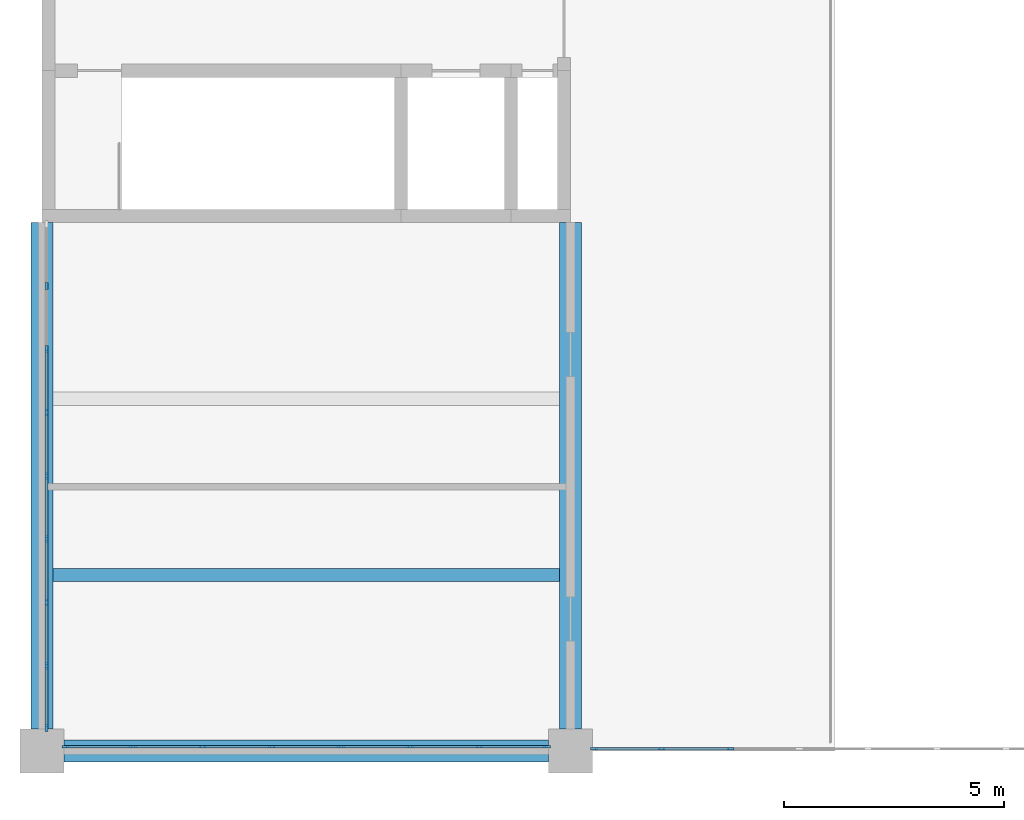
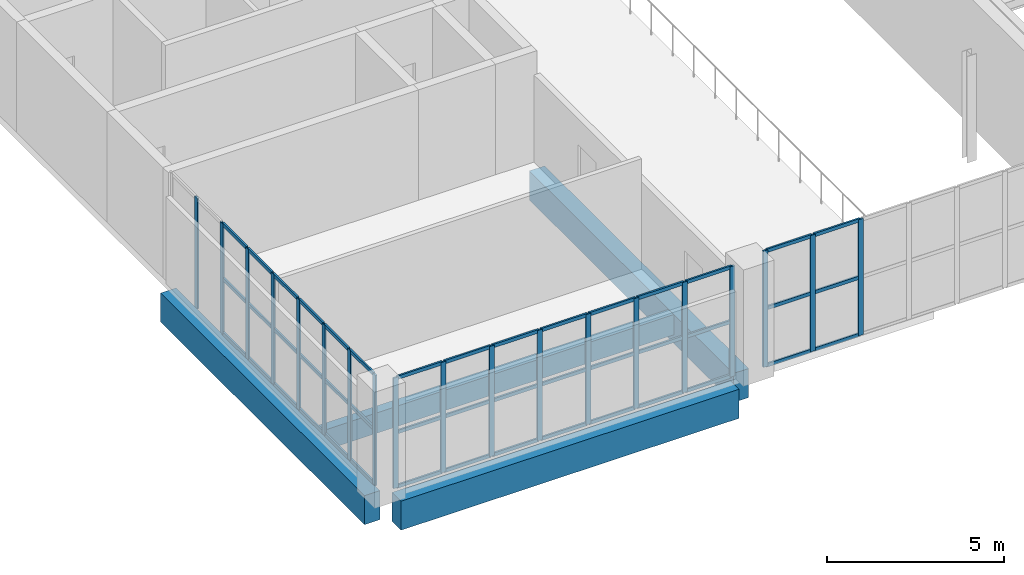
# One storey, part 8 of 156: 64 members, 4 beams, 3 elements without a shape of their own.
"""IFC4 building model written with IfcOpenShell, lengths in metres."""

from ifc_helpers import new_model, si_unit, direction, frame, origin, origin_2d, place, context, subcontext, project, spatial, rectangle, extrude, material, layer, layer_set, material_profile, profile_set, type_object, element, aggregate, save


model = new_model("IFC4")

# Units and contexts
model_context = context("Model", 3, precision=1e-05, world=origin(), true_north=direction((0.0, 1.0)))
body_context = subcontext(model_context, "Body", "Model", "MODEL_VIEW")
ifc_project = project(units=[si_unit("LENGTHUNIT", "METRE"), si_unit("AREAUNIT", "SQUARE_METRE"), si_unit("VOLUMEUNIT", "CUBIC_METRE"), si_unit("PLANEANGLEUNIT", "RADIAN"), si_unit("MASSUNIT", "GRAM", prefix="KILO")], contexts=[model_context])

# Site, building, storey
site_placement = place(None, origin())
site = spatial("IfcSite", under=ifc_project, at=site_placement, CompositionType="ELEMENT")
building_placement = place(site_placement, origin())
building = spatial("IfcBuilding", under=site, at=building_placement, Name="Lilac Gate Convention Centre", CompositionType="ELEMENT")
storey_placement = place(building_placement, frame((0.0, 0.0, 17.0)))
storey = spatial("IfcBuildingStorey", under=building, at=storey_placement, Name="L03", CompositionType="ELEMENT", Elevation=17.0)

# Curtain wall, members
ifc_material_1 = material(Name="Aluminium framed double glazing", Category="aluminium")
ifc_layer = layer(ifc_material_1, 0.199951171875)
ifc_layer_set = layer_set([ifc_layer], Name="Aluminium framed double glazing")
curtain_wall_type = type_object("IfcCurtainWallType", Name="Unitised curtain wall 1500", PredefinedType="NOTDEFINED", material=ifc_layer_set)
curtain_wall_1_placement = place(storey_placement, origin())
curtain_wall_1 = element("IfcCurtainWall", 1, at=curtain_wall_1_placement, inside=storey, type_object=curtain_wall_type, Name="Curtain wall PW L03 12", PredefinedType="NOTDEFINED")
ifc_material_2 = material(Name="Aluminium alloy 6063", Category="aluminium")
ifc_material_profile_1 = material_profile(ifc_material_2, rectangle(XDim=0.06005859375, YDim=0.159912109375, at=origin_2d()), Name="Curtain wall mullion 60 x 160")
ifc_profile_set_1 = profile_set([ifc_material_profile_1], Name="Aluminium alloy 6063")
member_type_1 = type_object("IfcMemberType", Name="Curtain wall mullion 60 x 160", PredefinedType="MULLION", material=ifc_profile_set_1)
member_1_placement = place(storey_placement, frame((6.10009765625, 40.5625, 0.0), z_axis=(0.0, 0.0, 1.0), x_axis=(1.0, 0.0, 0.0)))
member_1 = element("IfcMember", 2, at=member_1_placement, type_object=member_type_1, Name="CW mullion 2", PredefinedType="MULLION", context=body_context, shape_type="SweptSolid", body=[
    extrude(rectangle(XDim=0.06005859375, YDim=0.159912109375, at=origin_2d()), origin(), (0.0, 0.0, 1.0), 3.800048828125),
])
member_2_placement = place(storey_placement, frame((6.10009765625, 39.125, 0.0), z_axis=(0.0, 0.0, 1.0), x_axis=(1.0, 0.0, 0.0)))
member_2 = element("IfcMember", 3, at=member_2_placement, type_object=member_type_1, Name="CW mullion 3", PredefinedType="MULLION", context=body_context, shape_type="SweptSolid", body=[
    extrude(rectangle(XDim=0.06005859375, YDim=0.159912109375, at=origin_2d()), origin(), (0.0, 0.0, 1.0), 3.800048828125),
])
member_3_placement = place(storey_placement, frame((6.10009765625, 37.6875, 0.0), z_axis=(0.0, 0.0, 1.0), x_axis=(1.0, 0.0, 0.0)))
member_3 = element("IfcMember", 4, at=member_3_placement, type_object=member_type_1, Name="CW mullion 4", PredefinedType="MULLION", context=body_context, shape_type="SweptSolid", body=[
    extrude(rectangle(XDim=0.06005859375, YDim=0.159912109375, at=origin_2d()), origin(), (0.0, 0.0, 1.0), 3.800048828125),
])
member_4_placement = place(storey_placement, frame((6.10009765625, 36.25, 0.0), z_axis=(0.0, 0.0, 1.0), x_axis=(1.0, 0.0, 0.0)))
member_4 = element("IfcMember", 5, at=member_4_placement, type_object=member_type_1, Name="CW mullion 5", PredefinedType="MULLION", context=body_context, shape_type="SweptSolid", body=[
    extrude(rectangle(XDim=0.06005859375, YDim=0.159912109375, at=origin_2d()), origin(), (0.0, 0.0, 1.0), 3.800048828125),
])
member_5_placement = place(storey_placement, frame((6.10009765625, 34.8125, 0.0), z_axis=(0.0, 0.0, 1.0), x_axis=(1.0, 0.0, 0.0)))
member_5 = element("IfcMember", 6, at=member_5_placement, type_object=member_type_1, Name="CW mullion 6", PredefinedType="MULLION", context=body_context, shape_type="SweptSolid", body=[
    extrude(rectangle(XDim=0.06005859375, YDim=0.159912109375, at=origin_2d()), origin(), (0.0, 0.0, 1.0), 3.800048828125),
])
member_6_placement = place(storey_placement, frame((6.10009765625, 33.375, 0.0), z_axis=(0.0, 0.0, 1.0), x_axis=(1.0, 0.0, 0.0)))
member_6 = element("IfcMember", 7, at=member_6_placement, type_object=member_type_1, Name="CW mullion 7", PredefinedType="MULLION", context=body_context, shape_type="SweptSolid", body=[
    extrude(rectangle(XDim=0.06005859375, YDim=0.159912109375, at=origin_2d()), origin(), (0.0, 0.0, 1.0), 3.800048828125),
])
member_7_placement = place(storey_placement, frame((6.10009765625, 31.9375, 0.0), z_axis=(0.0, 0.0, 1.0), x_axis=(1.0, 0.0, 0.0)))
member_7 = element("IfcMember", 8, at=member_7_placement, type_object=member_type_1, Name="CW mullion 8", PredefinedType="MULLION", context=body_context, shape_type="SweptSolid", body=[
    extrude(rectangle(XDim=0.06005859375, YDim=0.159912109375, at=origin_2d()), origin(), (0.0, 0.0, 1.0), 3.800048828125),
])
member_8_placement = place(storey_placement, frame((6.10009765625, 30.530029296875, 0.0), z_axis=(0.0, 0.0, 1.0), x_axis=(1.0, 0.0, 0.0)))
member_8 = element("IfcMember", 9, at=member_8_placement, type_object=member_type_1, Name="CW mullion 9", PredefinedType="MULLION", context=body_context, shape_type="SweptSolid", body=[
    extrude(rectangle(XDim=0.06005859375, YDim=0.159912109375, at=origin_2d()), origin(), (0.0, 0.0, 1.0), 3.800048828125),
])

curtain_wall_2_placement = place(storey_placement, origin())
curtain_wall_2 = element("IfcCurtainWall", 10, at=curtain_wall_2_placement, inside=storey, type_object=curtain_wall_type, Name="Curtain wall PS L03 1", PredefinedType="NOTDEFINED")
member_9_placement = place(storey_placement, frame((6.530029296875, 30.10009765625, 0.0), z_axis=(0.0, 0.0, 1.0), x_axis=(0.0, 1.0, 0.0)))
member_9 = element("IfcMember", 11, at=member_9_placement, type_object=member_type_1, Name="CW mullion 1", PredefinedType="MULLION", context=body_context, shape_type="SweptSolid", body=[
    extrude(rectangle(XDim=0.06005859375, YDim=0.159912109375, at=origin_2d()), origin(), (0.0, 0.0, 1.0), 3.800048828125),
])
member_10_placement = place(storey_placement, frame((8.071533203125, 30.10009765625, 0.0), z_axis=(0.0, 0.0, 1.0), x_axis=(0.0, 1.0, 0.0)))
member_10 = element("IfcMember", 12, at=member_10_placement, type_object=member_type_1, Name="CW mullion 2", PredefinedType="MULLION", context=body_context, shape_type="SweptSolid", body=[
    extrude(rectangle(XDim=0.06005859375, YDim=0.159912109375, at=origin_2d()), origin(), (0.0, 0.0, 1.0), 3.800048828125),
])
member_11_placement = place(storey_placement, frame((9.642822265625, 30.10009765625, 0.0), z_axis=(0.0, 0.0, 1.0), x_axis=(0.0, 1.0, 0.0)))
member_11 = element("IfcMember", 13, at=member_11_placement, type_object=member_type_1, Name="CW mullion 3", PredefinedType="MULLION", context=body_context, shape_type="SweptSolid", body=[
    extrude(rectangle(XDim=0.06005859375, YDim=0.159912109375, at=origin_2d()), origin(), (0.0, 0.0, 1.0), 3.800048828125),
])
member_12_placement = place(storey_placement, frame((11.21435546875, 30.10009765625, 0.0), z_axis=(0.0, 0.0, 1.0), x_axis=(0.0, 1.0, 0.0)))
member_12 = element("IfcMember", 14, at=member_12_placement, type_object=member_type_1, Name="CW mullion 4", PredefinedType="MULLION", context=body_context, shape_type="SweptSolid", body=[
    extrude(rectangle(XDim=0.06005859375, YDim=0.159912109375, at=origin_2d()), origin(), (0.0, 0.0, 1.0), 3.800048828125),
])
member_13_placement = place(storey_placement, frame((12.78564453125, 30.10009765625, 0.0), z_axis=(0.0, 0.0, 1.0), x_axis=(0.0, 1.0, 0.0)))
member_13 = element("IfcMember", 15, at=member_13_placement, type_object=member_type_1, Name="CW mullion 5", PredefinedType="MULLION", context=body_context, shape_type="SweptSolid", body=[
    extrude(rectangle(XDim=0.06005859375, YDim=0.159912109375, at=origin_2d()), origin(), (0.0, 0.0, 1.0), 3.800048828125),
])
member_14_placement = place(storey_placement, frame((14.357177734375, 30.10009765625, 0.0), z_axis=(0.0, 0.0, 1.0), x_axis=(0.0, 1.0, 0.0)))
member_14 = element("IfcMember", 16, at=member_14_placement, type_object=member_type_1, Name="CW mullion 6", PredefinedType="MULLION", context=body_context, shape_type="SweptSolid", body=[
    extrude(rectangle(XDim=0.06005859375, YDim=0.159912109375, at=origin_2d()), origin(), (0.0, 0.0, 1.0), 3.800048828125),
])
member_15_placement = place(storey_placement, frame((15.928466796875, 30.10009765625, 0.0), z_axis=(0.0, 0.0, 1.0), x_axis=(0.0, 1.0, 0.0)))
member_15 = element("IfcMember", 17, at=member_15_placement, type_object=member_type_1, Name="CW mullion 7", PredefinedType="MULLION", context=body_context, shape_type="SweptSolid", body=[
    extrude(rectangle(XDim=0.06005859375, YDim=0.159912109375, at=origin_2d()), origin(), (0.0, 0.0, 1.0), 3.800048828125),
])
member_16_placement = place(storey_placement, frame((17.469970703125, 30.10009765625, 0.0), z_axis=(0.0, 0.0, 1.0), x_axis=(0.0, 1.0, 0.0)))
member_16 = element("IfcMember", 18, at=member_16_placement, type_object=member_type_1, Name="CW mullion 8", PredefinedType="MULLION", context=body_context, shape_type="SweptSolid", body=[
    extrude(rectangle(XDim=0.06005859375, YDim=0.159912109375, at=origin_2d()), origin(), (0.0, 0.0, 1.0), 3.800048828125),
])

curtain_wall_3_placement = place(storey_placement, origin())
curtain_wall_3 = element("IfcCurtainWall", 19, at=curtain_wall_3_placement, inside=storey, type_object=curtain_wall_type, Name="Galleria end glazing L03", PredefinedType="NOTDEFINED")
member_17_placement = place(storey_placement, frame((18.530029296875, 30.050048828125, 0.0), z_axis=(0.0, 0.0, 1.0), x_axis=(0.0, 1.0, 0.0)))
member_17 = element("IfcMember", 20, at=member_17_placement, type_object=member_type_1, Name="CW mullion 1", PredefinedType="MULLION", context=body_context, shape_type="SweptSolid", body=[
    extrude(rectangle(XDim=0.06005859375, YDim=0.159912109375, at=origin_2d()), origin(), (0.0, 0.0, 1.0), 4.0),
])
member_18_placement = place(storey_placement, frame((20.064208984375, 30.050048828125, 0.0), z_axis=(0.0, 0.0, 1.0), x_axis=(0.0, 1.0, 0.0)))
member_18 = element("IfcMember", 21, at=member_18_placement, type_object=member_type_1, Name="CW mullion 2", PredefinedType="MULLION", context=body_context, shape_type="SweptSolid", body=[
    extrude(rectangle(XDim=0.06005859375, YDim=0.159912109375, at=origin_2d()), origin(), (0.0, 0.0, 1.0), 4.0),
])
member_19_placement = place(storey_placement, frame((21.628662109375, 30.050048828125, 0.0), z_axis=(0.0, 0.0, 1.0), x_axis=(0.0, 1.0, 0.0)))
member_19 = element("IfcMember", 22, at=member_19_placement, type_object=member_type_1, Name="CW mullion 3", PredefinedType="MULLION", context=body_context, shape_type="SweptSolid", body=[
    extrude(rectangle(XDim=0.06005859375, YDim=0.159912109375, at=origin_2d()), origin(), (0.0, 0.0, 1.0), 4.0),
])

# Member
ifc_material_profile_2 = material_profile(ifc_material_2, rectangle(XDim=0.06005859375, YDim=0.1201171875, at=origin_2d()), Name="Curtain wall transom 60 x 120")
ifc_profile_set_2 = profile_set([ifc_material_profile_2], Name="Aluminium alloy 6063")
member_type_2 = type_object("IfcMemberType", Name="Curtain wall transom 60 x 120", PredefinedType="USERDEFINED", material=ifc_profile_set_2)
member_20_placement = place(storey_placement, frame((6.10009765625, 39.094970703125, 0.030029296875), z_axis=(0.0, -1.0, 0.0), x_axis=(1.0, 0.0, 0.0)))
member_20 = element("IfcMember", 23, at=member_20_placement, type_object=member_type_2, Name="CW transom 3.1", ObjectType="TRANSOM", PredefinedType="USERDEFINED", context=body_context, shape_type="SweptSolid", body=[
    extrude(rectangle(XDim=0.06005859375, YDim=0.1201171875, at=origin_2d()), origin(), (0.0, 0.0, 1.0), 1.37744140625),
])

member_21_placement = place(storey_placement, frame((6.10009765625, 39.094970703125, 1.89990234375), z_axis=(0.0, -1.0, 0.0), x_axis=(1.0, 0.0, 0.0)))
member_21 = element("IfcMember", 24, at=member_21_placement, type_object=member_type_2, Name="CW transom 3.2", ObjectType="TRANSOM", PredefinedType="USERDEFINED", context=body_context, shape_type="SweptSolid", body=[
    extrude(rectangle(XDim=0.06005859375, YDim=0.1201171875, at=origin_2d()), origin(), (0.0, 0.0, 1.0), 1.37744140625),
])

member_22_placement = place(storey_placement, frame((6.10009765625, 39.094970703125, 3.77001953125), z_axis=(0.0, -1.0, 0.0), x_axis=(1.0, 0.0, 0.0)))
member_22 = element("IfcMember", 25, at=member_22_placement, type_object=member_type_2, Name="CW transom 3.3", ObjectType="TRANSOM", PredefinedType="USERDEFINED", context=body_context, shape_type="SweptSolid", body=[
    extrude(rectangle(XDim=0.06005859375, YDim=0.1201171875, at=origin_2d()), origin(), (0.0, 0.0, 1.0), 1.37744140625),
])

member_23_placement = place(storey_placement, frame((6.10009765625, 37.657470703125, 0.030029296875), z_axis=(0.0, -1.0, 0.0), x_axis=(1.0, 0.0, 0.0)))
member_23 = element("IfcMember", 26, at=member_23_placement, type_object=member_type_2, Name="CW transom 4.1", ObjectType="TRANSOM", PredefinedType="USERDEFINED", context=body_context, shape_type="SweptSolid", body=[
    extrude(rectangle(XDim=0.06005859375, YDim=0.1201171875, at=origin_2d()), origin(), (0.0, 0.0, 1.0), 1.37744140625),
])

member_24_placement = place(storey_placement, frame((6.10009765625, 37.657470703125, 1.89990234375), z_axis=(0.0, -1.0, 0.0), x_axis=(1.0, 0.0, 0.0)))
member_24 = element("IfcMember", 27, at=member_24_placement, type_object=member_type_2, Name="CW transom 4.2", ObjectType="TRANSOM", PredefinedType="USERDEFINED", context=body_context, shape_type="SweptSolid", body=[
    extrude(rectangle(XDim=0.06005859375, YDim=0.1201171875, at=origin_2d()), origin(), (0.0, 0.0, 1.0), 1.37744140625),
])

member_25_placement = place(storey_placement, frame((6.10009765625, 37.657470703125, 3.77001953125), z_axis=(0.0, -1.0, 0.0), x_axis=(1.0, 0.0, 0.0)))
member_25 = element("IfcMember", 28, at=member_25_placement, type_object=member_type_2, Name="CW transom 4.3", ObjectType="TRANSOM", PredefinedType="USERDEFINED", context=body_context, shape_type="SweptSolid", body=[
    extrude(rectangle(XDim=0.06005859375, YDim=0.1201171875, at=origin_2d()), origin(), (0.0, 0.0, 1.0), 1.37744140625),
])

member_26_placement = place(storey_placement, frame((6.10009765625, 36.219970703125, 0.030029296875), z_axis=(0.0, -1.0, 0.0), x_axis=(1.0, 0.0, 0.0)))
member_26 = element("IfcMember", 29, at=member_26_placement, type_object=member_type_2, Name="CW transom 5.1", ObjectType="TRANSOM", PredefinedType="USERDEFINED", context=body_context, shape_type="SweptSolid", body=[
    extrude(rectangle(XDim=0.06005859375, YDim=0.1201171875, at=origin_2d()), origin(), (0.0, 0.0, 1.0), 1.37744140625),
])

member_27_placement = place(storey_placement, frame((6.10009765625, 36.219970703125, 1.89990234375), z_axis=(0.0, -1.0, 0.0), x_axis=(1.0, 0.0, 0.0)))
member_27 = element("IfcMember", 30, at=member_27_placement, type_object=member_type_2, Name="CW transom 5.2", ObjectType="TRANSOM", PredefinedType="USERDEFINED", context=body_context, shape_type="SweptSolid", body=[
    extrude(rectangle(XDim=0.06005859375, YDim=0.1201171875, at=origin_2d()), origin(), (0.0, 0.0, 1.0), 1.37744140625),
])

member_28_placement = place(storey_placement, frame((6.10009765625, 36.219970703125, 3.77001953125), z_axis=(0.0, -1.0, 0.0), x_axis=(1.0, 0.0, 0.0)))
member_28 = element("IfcMember", 31, at=member_28_placement, type_object=member_type_2, Name="CW transom 5.3", ObjectType="TRANSOM", PredefinedType="USERDEFINED", context=body_context, shape_type="SweptSolid", body=[
    extrude(rectangle(XDim=0.06005859375, YDim=0.1201171875, at=origin_2d()), origin(), (0.0, 0.0, 1.0), 1.37744140625),
])

member_29_placement = place(storey_placement, frame((6.10009765625, 34.782470703125, 0.030029296875), z_axis=(0.0, -1.0, 0.0), x_axis=(1.0, 0.0, 0.0)))
member_29 = element("IfcMember", 32, at=member_29_placement, type_object=member_type_2, Name="CW transom 6.1", ObjectType="TRANSOM", PredefinedType="USERDEFINED", context=body_context, shape_type="SweptSolid", body=[
    extrude(rectangle(XDim=0.06005859375, YDim=0.1201171875, at=origin_2d()), origin(), (0.0, 0.0, 1.0), 1.37744140625),
])

member_30_placement = place(storey_placement, frame((6.10009765625, 34.782470703125, 1.89990234375), z_axis=(0.0, -1.0, 0.0), x_axis=(1.0, 0.0, 0.0)))
member_30 = element("IfcMember", 33, at=member_30_placement, type_object=member_type_2, Name="CW transom 6.2", ObjectType="TRANSOM", PredefinedType="USERDEFINED", context=body_context, shape_type="SweptSolid", body=[
    extrude(rectangle(XDim=0.06005859375, YDim=0.1201171875, at=origin_2d()), origin(), (0.0, 0.0, 1.0), 1.37744140625),
])

member_31_placement = place(storey_placement, frame((6.10009765625, 34.782470703125, 3.77001953125), z_axis=(0.0, -1.0, 0.0), x_axis=(1.0, 0.0, 0.0)))
member_31 = element("IfcMember", 34, at=member_31_placement, type_object=member_type_2, Name="CW transom 6.3", ObjectType="TRANSOM", PredefinedType="USERDEFINED", context=body_context, shape_type="SweptSolid", body=[
    extrude(rectangle(XDim=0.06005859375, YDim=0.1201171875, at=origin_2d()), origin(), (0.0, 0.0, 1.0), 1.37744140625),
])

member_32_placement = place(storey_placement, frame((6.10009765625, 33.344970703125, 0.030029296875), z_axis=(0.0, -1.0, 0.0), x_axis=(1.0, 0.0, 0.0)))
member_32 = element("IfcMember", 35, at=member_32_placement, type_object=member_type_2, Name="CW transom 7.1", ObjectType="TRANSOM", PredefinedType="USERDEFINED", context=body_context, shape_type="SweptSolid", body=[
    extrude(rectangle(XDim=0.06005859375, YDim=0.1201171875, at=origin_2d()), origin(), (0.0, 0.0, 1.0), 1.37744140625),
])

member_33_placement = place(storey_placement, frame((6.10009765625, 33.344970703125, 1.89990234375), z_axis=(0.0, -1.0, 0.0), x_axis=(1.0, 0.0, 0.0)))
member_33 = element("IfcMember", 36, at=member_33_placement, type_object=member_type_2, Name="CW transom 7.2", ObjectType="TRANSOM", PredefinedType="USERDEFINED", context=body_context, shape_type="SweptSolid", body=[
    extrude(rectangle(XDim=0.06005859375, YDim=0.1201171875, at=origin_2d()), origin(), (0.0, 0.0, 1.0), 1.37744140625),
])

member_34_placement = place(storey_placement, frame((6.10009765625, 33.344970703125, 3.77001953125), z_axis=(0.0, -1.0, 0.0), x_axis=(1.0, 0.0, 0.0)))
member_34 = element("IfcMember", 37, at=member_34_placement, type_object=member_type_2, Name="CW transom 7.3", ObjectType="TRANSOM", PredefinedType="USERDEFINED", context=body_context, shape_type="SweptSolid", body=[
    extrude(rectangle(XDim=0.06005859375, YDim=0.1201171875, at=origin_2d()), origin(), (0.0, 0.0, 1.0), 1.37744140625),
])

member_35_placement = place(storey_placement, frame((6.10009765625, 31.907470703125, 0.030029296875), z_axis=(0.0, -1.0, 0.0), x_axis=(1.0, 0.0, 0.0)))
member_35 = element("IfcMember", 38, at=member_35_placement, type_object=member_type_2, Name="CW transom 8.1", ObjectType="TRANSOM", PredefinedType="USERDEFINED", context=body_context, shape_type="SweptSolid", body=[
    extrude(rectangle(XDim=0.06005859375, YDim=0.1201171875, at=origin_2d()), origin(), (0.0, 0.0, 1.0), 1.347412109375),
])

member_36_placement = place(storey_placement, frame((6.10009765625, 31.907470703125, 1.89990234375), z_axis=(0.0, -1.0, 0.0), x_axis=(1.0, 0.0, 0.0)))
member_36 = element("IfcMember", 39, at=member_36_placement, type_object=member_type_2, Name="CW transom 8.2", ObjectType="TRANSOM", PredefinedType="USERDEFINED", context=body_context, shape_type="SweptSolid", body=[
    extrude(rectangle(XDim=0.06005859375, YDim=0.1201171875, at=origin_2d()), origin(), (0.0, 0.0, 1.0), 1.347412109375),
])

member_37_placement = place(storey_placement, frame((6.10009765625, 31.907470703125, 3.77001953125), z_axis=(0.0, -1.0, 0.0), x_axis=(1.0, 0.0, 0.0)))
member_37 = element("IfcMember", 40, at=member_37_placement, type_object=member_type_2, Name="CW transom 8.3", ObjectType="TRANSOM", PredefinedType="USERDEFINED", context=body_context, shape_type="SweptSolid", body=[
    extrude(rectangle(XDim=0.06005859375, YDim=0.1201171875, at=origin_2d()), origin(), (0.0, 0.0, 1.0), 1.347412109375),
])

aggregate(curtain_wall_1, [member_1, member_2, member_3, member_4, member_5, member_6, member_7, member_8, member_20, member_21, member_22, member_23, member_24, member_25, member_26, member_27, member_28, member_29, member_30, member_31, member_32, member_33, member_34, member_35, member_36, member_37])

member_38_placement = place(storey_placement, frame((6.56005859375, 30.10009765625, 0.030029296875), z_axis=(1.0, 0.0, 0.0), x_axis=(0.0, 1.0, 0.0)))
member_38 = element("IfcMember", 41, at=member_38_placement, type_object=member_type_2, Name="CW transom 1.1", ObjectType="TRANSOM", PredefinedType="USERDEFINED", context=body_context, shape_type="SweptSolid", body=[
    extrude(rectangle(XDim=0.06005859375, YDim=0.1201171875, at=origin_2d()), origin(), (0.0, 0.0, 1.0), 1.4814453125),
])

member_39_placement = place(storey_placement, frame((6.56005859375, 30.10009765625, 1.89990234375), z_axis=(1.0, 0.0, 0.0), x_axis=(0.0, 1.0, 0.0)))
member_39 = element("IfcMember", 42, at=member_39_placement, type_object=member_type_2, Name="CW transom 1.2", ObjectType="TRANSOM", PredefinedType="USERDEFINED", context=body_context, shape_type="SweptSolid", body=[
    extrude(rectangle(XDim=0.06005859375, YDim=0.1201171875, at=origin_2d()), origin(), (0.0, 0.0, 1.0), 1.4814453125),
])

member_40_placement = place(storey_placement, frame((6.56005859375, 30.10009765625, 3.77001953125), z_axis=(1.0, 0.0, 0.0), x_axis=(0.0, 1.0, 0.0)))
member_40 = element("IfcMember", 43, at=member_40_placement, type_object=member_type_2, Name="CW transom 1.3", ObjectType="TRANSOM", PredefinedType="USERDEFINED", context=body_context, shape_type="SweptSolid", body=[
    extrude(rectangle(XDim=0.06005859375, YDim=0.1201171875, at=origin_2d()), origin(), (0.0, 0.0, 1.0), 1.4814453125),
])

member_41_placement = place(storey_placement, frame((8.101318359375, 30.10009765625, 0.030029296875), z_axis=(1.0, 0.0, 0.0), x_axis=(0.0, 1.0, 0.0)))
member_41 = element("IfcMember", 44, at=member_41_placement, type_object=member_type_2, Name="CW transom 2.1", ObjectType="TRANSOM", PredefinedType="USERDEFINED", context=body_context, shape_type="SweptSolid", body=[
    extrude(rectangle(XDim=0.06005859375, YDim=0.1201171875, at=origin_2d()), origin(), (0.0, 0.0, 1.0), 1.511474609375),
])

member_42_placement = place(storey_placement, frame((8.101318359375, 30.10009765625, 1.89990234375), z_axis=(1.0, 0.0, 0.0), x_axis=(0.0, 1.0, 0.0)))
member_42 = element("IfcMember", 45, at=member_42_placement, type_object=member_type_2, Name="CW transom 2.2", ObjectType="TRANSOM", PredefinedType="USERDEFINED", context=body_context, shape_type="SweptSolid", body=[
    extrude(rectangle(XDim=0.06005859375, YDim=0.1201171875, at=origin_2d()), origin(), (0.0, 0.0, 1.0), 1.511474609375),
])

member_43_placement = place(storey_placement, frame((8.101318359375, 30.10009765625, 3.77001953125), z_axis=(1.0, 0.0, 0.0), x_axis=(0.0, 1.0, 0.0)))
member_43 = element("IfcMember", 46, at=member_43_placement, type_object=member_type_2, Name="CW transom 2.3", ObjectType="TRANSOM", PredefinedType="USERDEFINED", context=body_context, shape_type="SweptSolid", body=[
    extrude(rectangle(XDim=0.06005859375, YDim=0.1201171875, at=origin_2d()), origin(), (0.0, 0.0, 1.0), 1.511474609375),
])

member_44_placement = place(storey_placement, frame((9.6728515625, 30.10009765625, 0.030029296875), z_axis=(1.0, 0.0, 0.0), x_axis=(0.0, 1.0, 0.0)))
member_44 = element("IfcMember", 47, at=member_44_placement, type_object=member_type_2, Name="CW transom 3.1", ObjectType="TRANSOM", PredefinedType="USERDEFINED", context=body_context, shape_type="SweptSolid", body=[
    extrude(rectangle(XDim=0.06005859375, YDim=0.1201171875, at=origin_2d()), origin(), (0.0, 0.0, 1.0), 1.511474609375),
])

member_45_placement = place(storey_placement, frame((9.6728515625, 30.10009765625, 1.89990234375), z_axis=(1.0, 0.0, 0.0), x_axis=(0.0, 1.0, 0.0)))
member_45 = element("IfcMember", 48, at=member_45_placement, type_object=member_type_2, Name="CW transom 3.2", ObjectType="TRANSOM", PredefinedType="USERDEFINED", context=body_context, shape_type="SweptSolid", body=[
    extrude(rectangle(XDim=0.06005859375, YDim=0.1201171875, at=origin_2d()), origin(), (0.0, 0.0, 1.0), 1.511474609375),
])

member_46_placement = place(storey_placement, frame((9.6728515625, 30.10009765625, 3.77001953125), z_axis=(1.0, 0.0, 0.0), x_axis=(0.0, 1.0, 0.0)))
member_46 = element("IfcMember", 49, at=member_46_placement, type_object=member_type_2, Name="CW transom 3.3", ObjectType="TRANSOM", PredefinedType="USERDEFINED", context=body_context, shape_type="SweptSolid", body=[
    extrude(rectangle(XDim=0.06005859375, YDim=0.1201171875, at=origin_2d()), origin(), (0.0, 0.0, 1.0), 1.511474609375),
])

member_47_placement = place(storey_placement, frame((11.244384765625, 30.10009765625, 0.030029296875), z_axis=(1.0, 0.0, 0.0), x_axis=(0.0, 1.0, 0.0)))
member_47 = element("IfcMember", 50, at=member_47_placement, type_object=member_type_2, Name="CW transom 4.1", ObjectType="TRANSOM", PredefinedType="USERDEFINED", context=body_context, shape_type="SweptSolid", body=[
    extrude(rectangle(XDim=0.06005859375, YDim=0.1201171875, at=origin_2d()), origin(), (0.0, 0.0, 1.0), 1.51123046875),
])

member_48_placement = place(storey_placement, frame((11.244384765625, 30.10009765625, 1.89990234375), z_axis=(1.0, 0.0, 0.0), x_axis=(0.0, 1.0, 0.0)))
member_48 = element("IfcMember", 51, at=member_48_placement, type_object=member_type_2, Name="CW transom 4.2", ObjectType="TRANSOM", PredefinedType="USERDEFINED", context=body_context, shape_type="SweptSolid", body=[
    extrude(rectangle(XDim=0.06005859375, YDim=0.1201171875, at=origin_2d()), origin(), (0.0, 0.0, 1.0), 1.51123046875),
])

member_49_placement = place(storey_placement, frame((11.244384765625, 30.10009765625, 3.77001953125), z_axis=(1.0, 0.0, 0.0), x_axis=(0.0, 1.0, 0.0)))
member_49 = element("IfcMember", 52, at=member_49_placement, type_object=member_type_2, Name="CW transom 4.3", ObjectType="TRANSOM", PredefinedType="USERDEFINED", context=body_context, shape_type="SweptSolid", body=[
    extrude(rectangle(XDim=0.06005859375, YDim=0.1201171875, at=origin_2d()), origin(), (0.0, 0.0, 1.0), 1.51123046875),
])

member_50_placement = place(storey_placement, frame((12.815673828125, 30.10009765625, 0.030029296875), z_axis=(1.0, 0.0, 0.0), x_axis=(0.0, 1.0, 0.0)))
member_50 = element("IfcMember", 53, at=member_50_placement, type_object=member_type_2, Name="CW transom 5.1", ObjectType="TRANSOM", PredefinedType="USERDEFINED", context=body_context, shape_type="SweptSolid", body=[
    extrude(rectangle(XDim=0.06005859375, YDim=0.1201171875, at=origin_2d()), origin(), (0.0, 0.0, 1.0), 1.511474609375),
])

member_51_placement = place(storey_placement, frame((12.815673828125, 30.10009765625, 1.89990234375), z_axis=(1.0, 0.0, 0.0), x_axis=(0.0, 1.0, 0.0)))
member_51 = element("IfcMember", 54, at=member_51_placement, type_object=member_type_2, Name="CW transom 5.2", ObjectType="TRANSOM", PredefinedType="USERDEFINED", context=body_context, shape_type="SweptSolid", body=[
    extrude(rectangle(XDim=0.06005859375, YDim=0.1201171875, at=origin_2d()), origin(), (0.0, 0.0, 1.0), 1.511474609375),
])

member_52_placement = place(storey_placement, frame((12.815673828125, 30.10009765625, 3.77001953125), z_axis=(1.0, 0.0, 0.0), x_axis=(0.0, 1.0, 0.0)))
member_52 = element("IfcMember", 55, at=member_52_placement, type_object=member_type_2, Name="CW transom 5.3", ObjectType="TRANSOM", PredefinedType="USERDEFINED", context=body_context, shape_type="SweptSolid", body=[
    extrude(rectangle(XDim=0.06005859375, YDim=0.1201171875, at=origin_2d()), origin(), (0.0, 0.0, 1.0), 1.511474609375),
])

member_53_placement = place(storey_placement, frame((14.38720703125, 30.10009765625, 0.030029296875), z_axis=(1.0, 0.0, 0.0), x_axis=(0.0, 1.0, 0.0)))
member_53 = element("IfcMember", 56, at=member_53_placement, type_object=member_type_2, Name="CW transom 6.1", ObjectType="TRANSOM", PredefinedType="USERDEFINED", context=body_context, shape_type="SweptSolid", body=[
    extrude(rectangle(XDim=0.06005859375, YDim=0.1201171875, at=origin_2d()), origin(), (0.0, 0.0, 1.0), 1.511474609375),
])

member_54_placement = place(storey_placement, frame((14.38720703125, 30.10009765625, 1.89990234375), z_axis=(1.0, 0.0, 0.0), x_axis=(0.0, 1.0, 0.0)))
member_54 = element("IfcMember", 57, at=member_54_placement, type_object=member_type_2, Name="CW transom 6.2", ObjectType="TRANSOM", PredefinedType="USERDEFINED", context=body_context, shape_type="SweptSolid", body=[
    extrude(rectangle(XDim=0.06005859375, YDim=0.1201171875, at=origin_2d()), origin(), (0.0, 0.0, 1.0), 1.511474609375),
])

member_55_placement = place(storey_placement, frame((14.38720703125, 30.10009765625, 3.77001953125), z_axis=(1.0, 0.0, 0.0), x_axis=(0.0, 1.0, 0.0)))
member_55 = element("IfcMember", 58, at=member_55_placement, type_object=member_type_2, Name="CW transom 6.3", ObjectType="TRANSOM", PredefinedType="USERDEFINED", context=body_context, shape_type="SweptSolid", body=[
    extrude(rectangle(XDim=0.06005859375, YDim=0.1201171875, at=origin_2d()), origin(), (0.0, 0.0, 1.0), 1.511474609375),
])

member_56_placement = place(storey_placement, frame((15.95849609375, 30.10009765625, 0.030029296875), z_axis=(1.0, 0.0, 0.0), x_axis=(0.0, 1.0, 0.0)))
member_56 = element("IfcMember", 59, at=member_56_placement, type_object=member_type_2, Name="CW transom 7.1", ObjectType="TRANSOM", PredefinedType="USERDEFINED", context=body_context, shape_type="SweptSolid", body=[
    extrude(rectangle(XDim=0.06005859375, YDim=0.1201171875, at=origin_2d()), origin(), (0.0, 0.0, 1.0), 1.4814453125),
])

member_57_placement = place(storey_placement, frame((15.95849609375, 30.10009765625, 1.89990234375), z_axis=(1.0, 0.0, 0.0), x_axis=(0.0, 1.0, 0.0)))
member_57 = element("IfcMember", 60, at=member_57_placement, type_object=member_type_2, Name="CW transom 7.2", ObjectType="TRANSOM", PredefinedType="USERDEFINED", context=body_context, shape_type="SweptSolid", body=[
    extrude(rectangle(XDim=0.06005859375, YDim=0.1201171875, at=origin_2d()), origin(), (0.0, 0.0, 1.0), 1.4814453125),
])

member_58_placement = place(storey_placement, frame((15.95849609375, 30.10009765625, 3.77001953125), z_axis=(1.0, 0.0, 0.0), x_axis=(0.0, 1.0, 0.0)))
member_58 = element("IfcMember", 61, at=member_58_placement, type_object=member_type_2, Name="CW transom 7.3", ObjectType="TRANSOM", PredefinedType="USERDEFINED", context=body_context, shape_type="SweptSolid", body=[
    extrude(rectangle(XDim=0.06005859375, YDim=0.1201171875, at=origin_2d()), origin(), (0.0, 0.0, 1.0), 1.4814453125),
])

aggregate(curtain_wall_2, [member_9, member_10, member_11, member_12, member_13, member_14, member_15, member_16, member_38, member_39, member_40, member_41, member_42, member_43, member_44, member_45, member_46, member_47, member_48, member_49, member_50, member_51, member_52, member_53, member_54, member_55, member_56, member_57, member_58])

member_59_placement = place(storey_placement, frame((18.56005859375, 30.050048828125, 0.030029296875), z_axis=(1.0, 0.0, 0.0), x_axis=(0.0, 1.0, 0.0)))
member_59 = element("IfcMember", 62, at=member_59_placement, type_object=member_type_2, Name="CW transom 1.1", ObjectType="TRANSOM", PredefinedType="USERDEFINED", context=body_context, shape_type="SweptSolid", body=[
    extrude(rectangle(XDim=0.06005859375, YDim=0.1201171875, at=origin_2d()), origin(), (0.0, 0.0, 1.0), 1.47412109375),
])

member_60_placement = place(storey_placement, frame((18.56005859375, 30.050048828125, 2.0), z_axis=(1.0, 0.0, 0.0), x_axis=(0.0, 1.0, 0.0)))
member_60 = element("IfcMember", 63, at=member_60_placement, type_object=member_type_2, Name="CW transom 1.2", ObjectType="TRANSOM", PredefinedType="USERDEFINED", context=body_context, shape_type="SweptSolid", body=[
    extrude(rectangle(XDim=0.06005859375, YDim=0.1201171875, at=origin_2d()), origin(), (0.0, 0.0, 1.0), 1.47412109375),
])

member_61_placement = place(storey_placement, frame((18.56005859375, 30.050048828125, 3.969970703125), z_axis=(1.0, 0.0, 0.0), x_axis=(0.0, 1.0, 0.0)))
member_61 = element("IfcMember", 64, at=member_61_placement, type_object=member_type_2, Name="CW transom 1.3", ObjectType="TRANSOM", PredefinedType="USERDEFINED", context=body_context, shape_type="SweptSolid", body=[
    extrude(rectangle(XDim=0.06005859375, YDim=0.1201171875, at=origin_2d()), origin(), (0.0, 0.0, 1.0), 1.47412109375),
])

member_62_placement = place(storey_placement, frame((20.09423828125, 30.050048828125, 0.030029296875), z_axis=(1.0, 0.0, 0.0), x_axis=(0.0, 1.0, 0.0)))
member_62 = element("IfcMember", 65, at=member_62_placement, type_object=member_type_2, Name="CW transom 2.1", ObjectType="TRANSOM", PredefinedType="USERDEFINED", context=body_context, shape_type="SweptSolid", body=[
    extrude(rectangle(XDim=0.06005859375, YDim=0.1201171875, at=origin_2d()), origin(), (0.0, 0.0, 1.0), 1.50439453125),
])

member_63_placement = place(storey_placement, frame((20.09423828125, 30.050048828125, 2.0), z_axis=(1.0, 0.0, 0.0), x_axis=(0.0, 1.0, 0.0)))
member_63 = element("IfcMember", 66, at=member_63_placement, type_object=member_type_2, Name="CW transom 2.2", ObjectType="TRANSOM", PredefinedType="USERDEFINED", context=body_context, shape_type="SweptSolid", body=[
    extrude(rectangle(XDim=0.06005859375, YDim=0.1201171875, at=origin_2d()), origin(), (0.0, 0.0, 1.0), 1.50439453125),
])

member_64_placement = place(storey_placement, frame((20.09423828125, 30.050048828125, 3.969970703125), z_axis=(1.0, 0.0, 0.0), x_axis=(0.0, 1.0, 0.0)))
member_64 = element("IfcMember", 67, at=member_64_placement, type_object=member_type_2, Name="CW transom 2.3", ObjectType="TRANSOM", PredefinedType="USERDEFINED", context=body_context, shape_type="SweptSolid", body=[
    extrude(rectangle(XDim=0.06005859375, YDim=0.1201171875, at=origin_2d()), origin(), (0.0, 0.0, 1.0), 1.50439453125),
])

aggregate(curtain_wall_3, [member_17, member_18, member_19, member_59, member_60, member_61, member_62, member_63, member_64])

# Beams
ifc_material_3 = material(Name="Concrete C40", Category="concrete")
ifc_material_profile_3 = material_profile(ifc_material_3, rectangle(XDim=0.5, YDim=1.0, at=origin_2d()), Name="RC 500x1000")
ifc_profile_set_3 = profile_set([ifc_material_profile_3], Name="Concrete C40")
beam_type_1 = type_object("IfcBeamType", Name="Primary beam 500x1000 C40", PredefinedType="BEAM", material=ifc_profile_set_3)
beam_1_placement = place(storey_placement, frame((6.5, 30.0, -0.75), z_axis=(1.0, 0.0, 0.0), x_axis=(0.0, 1.0, 0.0)))
element("IfcBeam", 68, at=beam_1_placement, inside=storey, type_object=beam_type_1, Name="RB1 L03 1/A-2/A", PredefinedType="BEAM", context=body_context, shape_type="SweptSolid", body=[
    extrude(rectangle(XDim=0.5, YDim=1.0, at=origin_2d()), origin(), (0.0, 0.0, 1.0), 11.0),
])
for number, where, z_axis, x_axis, name in (
    (69, (6.0, 30.5, -0.75), (0.0, 1.0, 0.0), (-1.0, 0.0, 0.0), "RB1 L03 1/A-1/B"),
    (70, (18.0, 30.5, -0.75), (0.0, 1.0, 0.0), (-1.0, 0.0, 0.0), "RB1 L03 2/A-2/B"),
):
    element("IfcBeam", number, at=place(storey_placement, frame(where, z_axis=z_axis, x_axis=x_axis)), inside=storey, type_object=beam_type_1, Name=name, PredefinedType="BEAM", context=body_context, shape_type="SweptSolid", body=[
        extrude(rectangle(XDim=0.5, YDim=1.0, at=origin_2d()), origin(), (0.0, 0.0, 1.0), 11.5),
    ])
ifc_material_profile_4 = material_profile(ifc_material_3, rectangle(XDim=0.300048828125, YDim=0.699951171875, at=origin_2d()), Name="RC 300x700")
ifc_profile_set_4 = profile_set([ifc_material_profile_4], Name="Concrete C40")
beam_type_2 = type_object("IfcBeamType", Name="Secondary beam 300x700 C40", PredefinedType="BEAM", material=ifc_profile_set_4)
beam_2_placement = place(storey_placement, frame((6.25, 34.0, -0.60009765625), z_axis=(1.0, 0.0, 0.0), x_axis=(0.0, 1.0, 0.0)))
element("IfcBeam", 71, at=beam_2_placement, inside=storey, type_object=beam_type_2, Name="RB2 L03 bay 1/A", PredefinedType="BEAM", context=body_context, shape_type="SweptSolid", body=[
    extrude(rectangle(XDim=0.300048828125, YDim=0.699951171875, at=origin_2d()), origin(), (0.0, 0.0, 1.0), 11.5),
])

save(model, "model.ifc")
